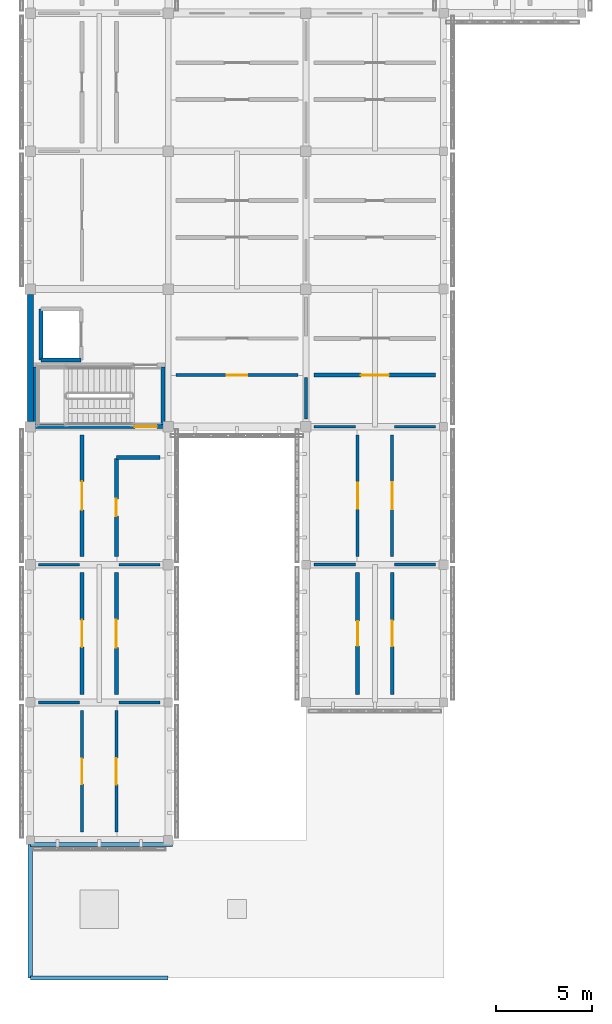
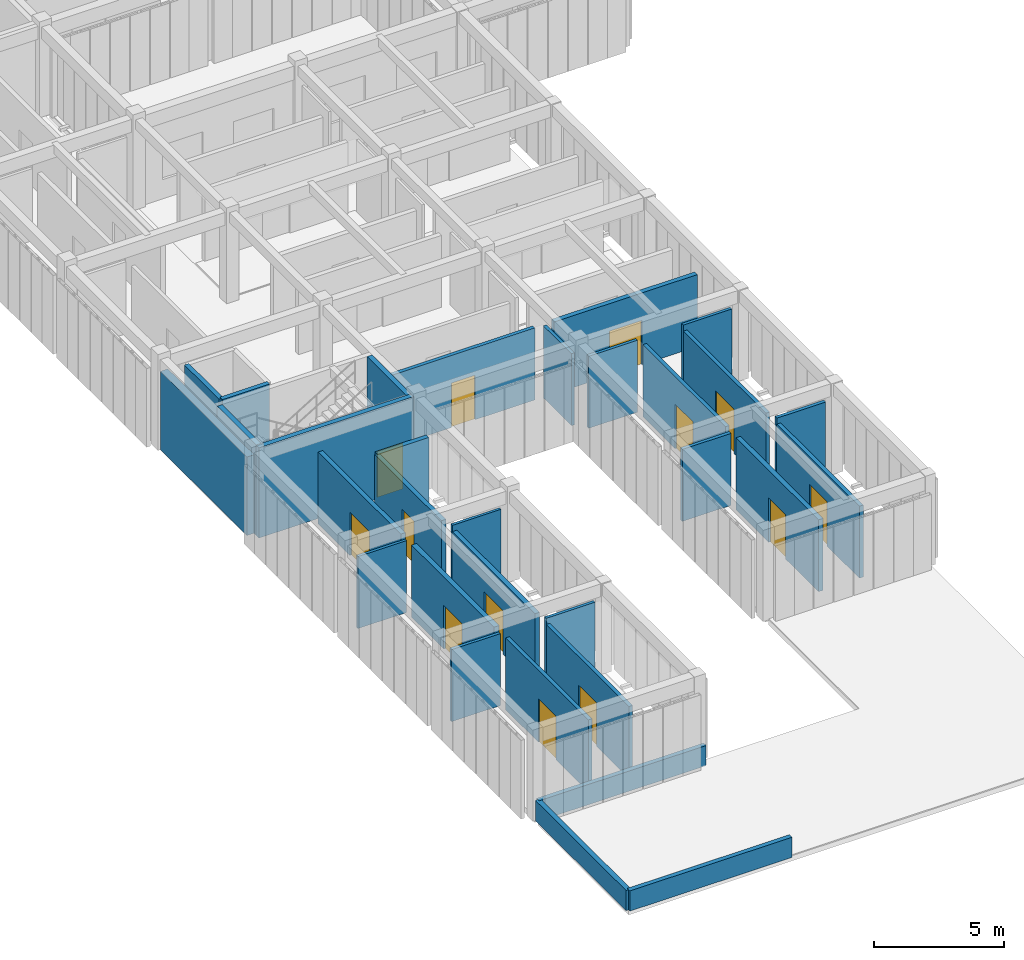
# One storey, part 68 of 91: 31 walls, 13 doors, 13 openings.
"""IFC4 building model written with IfcOpenShell, lengths in metres."""

from ifc_helpers import new_model, si_unit, direction, frame, frame_2d, origin, place, context, subcontext, project, spatial, rectangle, extrude, material, layer, layer_set, type_object, element, fill, save


model = new_model("IFC4")

# Units and contexts
model_context = context("Model", 3, precision=1e-05, world=origin(), true_north=direction((0.0, 1.0)))
body_context = subcontext(model_context, "Body", "Model", "MODEL_VIEW")
ifc_project = project(units=[si_unit("LENGTHUNIT", "METRE"), si_unit("AREAUNIT", "SQUARE_METRE"), si_unit("VOLUMEUNIT", "CUBIC_METRE"), si_unit("PLANEANGLEUNIT", "RADIAN"), si_unit("MASSUNIT", "GRAM", prefix="KILO")], contexts=[model_context])

# Site, building, storey
site_placement = place(None, origin())
site = spatial("IfcSite", under=ifc_project, at=site_placement, CompositionType="ELEMENT")
building_placement = place(site_placement, origin())
building = spatial("IfcBuilding", under=site, at=building_placement, Name="Aldebral Square Health Centre", CompositionType="ELEMENT")
storey_placement = place(building_placement, frame((0.0, 0.0, 9.0)))
storey = spatial("IfcBuildingStorey", under=building, at=storey_placement, Name="L02", CompositionType="ELEMENT", Elevation=9.0)

# Walls
ifc_material_1 = material(Name="Cream cantera stone parapet", Category="masonry")
ifc_layer_1 = layer(ifc_material_1, 0.199951171875, Name="Cream cantera stone parapet", Category="masonry")
ifc_layer_set_1 = layer_set([ifc_layer_1], Name="Cream cantera stone parapet")
wall_type_1 = type_object("IfcWallType", Name="EW-PAR-200", PredefinedType="PARAPET", material=ifc_layer_set_1)
wall_1_placement = place(storey_placement, frame((7.199951171875, 0.0, 0.0), z_axis=(0.0, 0.0, 1.0), x_axis=(-1.0, 0.0, 0.0)))
element("IfcWall", 1, at=wall_1_placement, inside=storey, type_object=wall_type_1, Name="Roof parapet 09", PredefinedType="PARAPET", context=body_context, shape_type="SweptSolid", body=[
    extrude(rectangle(XDim=7.199951171875, YDim=0.199951171875, at=frame_2d((3.60009765625, 0.0))), origin(), (0.0, 0.0, 1.0), 0.949951171875),
])
wall_2_placement = place(storey_placement, frame((0.0, 6.97998046875, 0.0), z_axis=(0.0, 0.0, 1.0), x_axis=(1.0, 0.0, 0.0)))
element("IfcWall", 2, at=wall_2_placement, inside=storey, type_object=wall_type_1, Name="Roof parapet 11", PredefinedType="PARAPET", context=body_context, shape_type="SweptSolid", body=[
    extrude(rectangle(XDim=7.419921875, YDim=0.199951171875, at=frame_2d((3.7099609375, 0.0))), origin(), (0.0, 0.0, 1.0), 0.949951171875),
])
ifc_material_2 = material(Name="Precast concrete C40/50 parapet", Category="concrete")
ifc_layer_2 = layer(ifc_material_2, 0.219970703125, Name="Precast concrete C40/50 parapet", Category="concrete")
ifc_layer_set_2 = layer_set([ifc_layer_2], Name="Precast concrete C40/50 parapet")
wall_type_2 = type_object("IfcWallType", Name="EW-PAR-220", PredefinedType="PARAPET", material=ifc_layer_set_2)
wall_3_placement = place(storey_placement, frame((0.0, 0.0, 0.0), z_axis=(0.0, 0.0, 1.0), x_axis=(0.0, 1.0, 0.0)))
element("IfcWall", 3, at=wall_3_placement, inside=storey, type_object=wall_type_2, Name="Roof parapet 10", PredefinedType="PARAPET", context=body_context, shape_type="SweptSolid", body=[
    extrude(rectangle(XDim=6.97998046875, YDim=0.219970703125, at=frame_2d((3.489990234375, 0.0))), origin(), (0.0, 0.0, 1.0), 0.949951171875),
])
ifc_material_3 = material(Name="Precast concrete C40/50 insulated panel", Category="concrete")
ifc_layer_3 = layer(ifc_material_3, 0.320068359375, Name="Precast concrete C40/50 insulated panel", Category="concrete")
ifc_layer_set_3 = layer_set([ifc_layer_3], Name="Precast concrete C40/50 insulated panel")
wall_type_3 = type_object("IfcWallType", Name="EW-PRE-320", PredefinedType="STANDARD", material=ifc_layer_set_3)
wall_4_placement = place(storey_placement, frame((0.0, 35.72509765625, 0.0), z_axis=(0.0, 0.0, 1.0), x_axis=(0.0, -1.0, 0.0)))
element("IfcWall", 4, at=wall_4_placement, inside=storey, type_object=wall_type_3, Name="L02 V6 exterior wall L02-V6-00-04-W", PredefinedType="STANDARD", context=body_context, shape_type="SweptSolid", body=[
    extrude(rectangle(XDim=6.650146484375, YDim=0.320068359375, at=frame_2d((3.3251953125, 0.0))), origin(), (0.0, 0.0, 1.0), 3.68994140625),
])

# Wall, opening, door
ifc_material_4 = material(Name="Concrete C35/45 compartment wall", Category="concrete")
ifc_layer_4 = layer(ifc_material_4, 0.199951171875, Name="Concrete C35/45 compartment wall", Category="concrete")
ifc_layer_set_4 = layer_set([ifc_layer_4], Name="Concrete C35/45 compartment wall")
wall_type_4 = type_object("IfcWallType", Name="IW-CMP-200", PredefinedType="SOLIDWALL", material=ifc_layer_set_4)
wall_5_placement = place(storey_placement, frame((2.699951171875, 22.02001953125, 0.0), z_axis=(0.0, 0.0, 1.0), x_axis=(0.0, 1.0, 0.0)))
wall_5 = element("IfcWall", 5, at=wall_5_placement, inside=storey, type_object=wall_type_4, Name="L02 Multipurpose Health Hall 1.4W corridor wall", PredefinedType="SOLIDWALL", context=body_context, shape_type="SweptSolid", body=[
    extrude(rectangle(XDim=6.35986328125, YDim=0.199951171875, at=frame_2d((3.179931640625, 0.0))), origin(), (0.0, 0.0, 1.0), 3.3798828125),
])
opening_1_placement = place(wall_5_placement, frame((2.429931640625, 0.0, 0.0)))
opening_1 = element("IfcOpeningElement", 6, at=opening_1_placement, cuts=wall_5, Name="Opening D-0513", PredefinedType="OPENING", context=body_context, shape_type="SweptSolid", body=[
    extrude(rectangle(XDim=1.5, YDim=2.0400390625, at=frame_2d((0.75, 1.02001953125))), frame((0.0, 0.10986328125, 0.0), z_axis=(0.0, -1.0, 0.0), x_axis=(1.0, 0.0, 0.0)), (0.0, 0.0, 1.0), 0.219970703125),
])
ifc_material_5 = material(Name="Clinical suite fire door")
door_type_1 = type_object("IfcDoorType", Name="ID-EXD-15", OperationType="NOTDEFINED", PredefinedType="DOOR", material=ifc_material_5)
door_1_placement = place(opening_1_placement, origin())
door_1 = element("IfcDoor", 7, at=door_1_placement, inside=storey, type_object=door_type_1, Name="L02 Multipurpose Health Hall 1.4W door", OperationType="SINGLE_SWING_RIGHT", OverallHeight=2.0400390625, OverallWidth=1.5, PredefinedType="DOOR", context=body_context, shape_type="SweptSolid", body=[
    extrude(rectangle(XDim=1.5, YDim=2.0400390625, at=frame_2d((0.75, 1.02001953125))), frame((0.0, 0.02490234375, 0.0), z_axis=(0.0, -1.0, 0.0), x_axis=(1.0, 0.0, 0.0)), (0.0, 0.0, 1.0), 0.050048828125),
])
fill(opening_1, door_1)

wall_6_placement = place(storey_placement, frame((4.5, 22.02001953125, 0.0), z_axis=(0.0, 0.0, 1.0), x_axis=(0.0, 1.0, 0.0)))
wall_6 = element("IfcWall", 8, at=wall_6_placement, inside=storey, type_object=wall_type_4, Name="L02 Community Wellness Classroom 1.4E corridor wall", PredefinedType="SOLIDWALL", context=body_context, shape_type="SweptSolid", body=[
    extrude(rectangle(XDim=5.1298828125, YDim=0.199951171875, at=frame_2d((2.56494140625, 0.0))), origin(), (0.0, 0.0, 1.0), 3.3798828125),
])
opening_2_placement = place(wall_6_placement, frame((2.114990234375, 0.0, 0.0)))
opening_2 = element("IfcOpeningElement", 9, at=opening_2_placement, cuts=wall_6, Name="Opening D-0514", PredefinedType="OPENING", context=body_context, shape_type="SweptSolid", body=[
    extrude(rectangle(XDim=0.89990234375, YDim=2.090087890625, at=frame_2d((0.449951171875, 1.044921875))), frame((0.0, 0.10986328125, 0.0), z_axis=(0.0, -1.0, 0.0), x_axis=(1.0, 0.0, 0.0)), (0.0, 0.0, 1.0), 0.219970703125),
])
door_type_2 = type_object("IfcDoorType", Name="ID-EXD-16", OperationType="NOTDEFINED", PredefinedType="DOOR", material=ifc_material_5)
door_2_placement = place(opening_2_placement, origin())
door_2 = element("IfcDoor", 10, at=door_2_placement, inside=storey, type_object=door_type_2, Name="L02 Community Wellness Classroom 1.4E door", OperationType="SINGLE_SWING_LEFT", OverallHeight=2.090087890625, OverallWidth=0.89990234375, PredefinedType="DOOR", context=body_context, shape_type="SweptSolid", body=[
    extrude(rectangle(XDim=0.89990234375, YDim=2.090087890625, at=frame_2d((0.449951171875, 1.044921875))), frame((0.0, 0.02490234375, 0.0), z_axis=(0.0, -1.0, 0.0), x_axis=(1.0, 0.0, 0.0)), (0.0, 0.0, 1.0), 0.050048828125),
])
fill(opening_2, door_2)

ifc_layer_5 = layer(ifc_material_4, 0.219970703125, Name="Concrete C35/45 compartment wall", Category="concrete")
ifc_layer_set_5 = layer_set([ifc_layer_5], Name="Concrete C35/45 compartment wall")
wall_type_5 = type_object("IfcWallType", Name="IW-CMP-220", PredefinedType="SOLIDWALL", material=ifc_layer_set_5)
wall_7_placement = place(storey_placement, frame((2.699951171875, 14.820068359375, 0.0), z_axis=(0.0, 0.0, 1.0), x_axis=(0.0, 1.0, 0.0)))
wall_7 = element("IfcWall", 11, at=wall_7_placement, inside=storey, type_object=wall_type_5, Name="L02 Public Health Library 1.3W corridor wall", PredefinedType="SOLIDWALL", context=body_context, shape_type="SweptSolid", body=[
    extrude(rectangle(XDim=6.35986328125, YDim=0.219970703125, at=frame_2d((3.179931640625, 0.0))), origin(), (0.0, 0.0, 1.0), 3.3798828125),
])
opening_3_placement = place(wall_7_placement, frame((2.469970703125, 0.0, 0.0)))
opening_3 = element("IfcOpeningElement", 12, at=opening_3_placement, cuts=wall_7, Name="Opening D-0511", PredefinedType="OPENING", context=body_context, shape_type="SweptSolid", body=[
    extrude(rectangle(XDim=1.419921875, YDim=2.0400390625, at=frame_2d((0.7099609375, 1.02001953125))), frame((0.0, 0.1201171875, 0.0), z_axis=(0.0, -1.0, 0.0), x_axis=(1.0, 0.0, 0.0)), (0.0, 0.0, 1.0), 0.239990234375),
])
door_type_3 = type_object("IfcDoorType", Name="ID-EXD-13", OperationType="NOTDEFINED", PredefinedType="DOOR", material=ifc_material_5)
door_3_placement = place(opening_3_placement, origin())
door_3 = element("IfcDoor", 13, at=door_3_placement, inside=storey, type_object=door_type_3, Name="L02 Public Health Library 1.3W door", OperationType="SINGLE_SWING_RIGHT", OverallHeight=2.0400390625, OverallWidth=1.419921875, PredefinedType="DOOR", context=body_context, shape_type="SweptSolid", body=[
    extrude(rectangle(XDim=1.419921875, YDim=2.0400390625, at=frame_2d((0.7099609375, 1.02001953125))), frame((0.0, 0.02490234375, 0.0), z_axis=(0.0, -1.0, 0.0), x_axis=(1.0, 0.0, 0.0)), (0.0, 0.0, 1.0), 0.050048828125),
])
fill(opening_3, door_3)

ifc_material_6 = material(Name="Fire-rated acoustic gypsum partition")
ifc_layer_6 = layer(ifc_material_6, 0.1650390625, Name="Fire-rated acoustic gypsum partition")
ifc_layer_set_6 = layer_set([ifc_layer_6], Name="Fire-rated acoustic gypsum partition")
wall_type_6 = type_object("IfcWallType", Name="IW-COR-165", PredefinedType="PARTITIONING", material=ifc_layer_set_6)
wall_8_placement = place(storey_placement, frame((2.699951171875, 7.6201171875, 0.0), z_axis=(0.0, 0.0, 1.0), x_axis=(0.0, 1.0, 0.0)))
wall_8 = element("IfcWall", 14, at=wall_8_placement, inside=storey, type_object=wall_type_6, Name="L02 Multipurpose Health Hall 1.2W corridor wall", PredefinedType="PARTITIONING", context=body_context, shape_type="SweptSolid", body=[
    extrude(rectangle(XDim=6.35986328125, YDim=0.1650390625, at=frame_2d((3.179931640625, 0.0))), origin(), (0.0, 0.0, 1.0), 3.3798828125),
])
opening_4_placement = place(wall_8_placement, frame((2.510009765625, 0.0, 0.0)))
opening_4 = element("IfcOpeningElement", 15, at=opening_4_placement, cuts=wall_8, Name="Opening D-0509", PredefinedType="OPENING", context=body_context, shape_type="SweptSolid", body=[
    extrude(rectangle(XDim=1.340087890625, YDim=2.0400390625, at=frame_2d((0.669921875, 1.02001953125))), frame((0.0, 0.092529296875, 0.0), z_axis=(0.0, -1.0, 0.0), x_axis=(1.0, 0.0, 0.0)), (0.0, 0.0, 1.0), 0.18505859375),
])
door_type_4 = type_object("IfcDoorType", Name="ID-EXD-11", OperationType="NOTDEFINED", PredefinedType="DOOR", material=ifc_material_5)
door_4_placement = place(opening_4_placement, origin())
door_4 = element("IfcDoor", 16, at=door_4_placement, inside=storey, type_object=door_type_4, Name="L02 Multipurpose Health Hall 1.2W door", OperationType="SINGLE_SWING_RIGHT", OverallHeight=2.0400390625, OverallWidth=1.340087890625, PredefinedType="DOOR", context=body_context, shape_type="SweptSolid", body=[
    extrude(rectangle(XDim=1.340087890625, YDim=2.0400390625, at=frame_2d((0.669921875, 1.02001953125))), frame((0.0, 0.02490234375, 0.0), z_axis=(0.0, -1.0, 0.0), x_axis=(1.0, 0.0, 0.0)), (0.0, 0.0, 1.0), 0.050048828125),
])
fill(opening_4, door_4)

wall_9_placement = place(storey_placement, frame((4.5, 7.6201171875, 0.0), z_axis=(0.0, 0.0, 1.0), x_axis=(0.0, 1.0, 0.0)))
wall_9 = element("IfcWall", 17, at=wall_9_placement, inside=storey, type_object=wall_type_6, Name="L02 Community Wellness Classroom 1.2E corridor wall", PredefinedType="PARTITIONING", context=body_context, shape_type="SweptSolid", body=[
    extrude(rectangle(XDim=6.35986328125, YDim=0.1650390625, at=frame_2d((3.179931640625, 0.0))), origin(), (0.0, 0.0, 1.0), 3.3798828125),
])
opening_5_placement = place(wall_9_placement, frame((2.489990234375, 0.0, 0.0)))
opening_5 = element("IfcOpeningElement", 18, at=opening_5_placement, cuts=wall_9, Name="Opening D-0510", PredefinedType="OPENING", context=body_context, shape_type="SweptSolid", body=[
    extrude(rectangle(XDim=1.3798828125, YDim=2.0400390625, at=frame_2d((0.68994140625, 1.02001953125))), frame((0.0, 0.092529296875, 0.0), z_axis=(0.0, -1.0, 0.0), x_axis=(1.0, 0.0, 0.0)), (0.0, 0.0, 1.0), 0.18505859375),
])
door_type_5 = type_object("IfcDoorType", Name="ID-EXD-12", OperationType="NOTDEFINED", PredefinedType="DOOR", material=ifc_material_5)
door_5_placement = place(opening_5_placement, origin())
door_5 = element("IfcDoor", 19, at=door_5_placement, inside=storey, type_object=door_type_5, Name="L02 Community Wellness Classroom 1.2E door", OperationType="SINGLE_SWING_LEFT", OverallHeight=2.0400390625, OverallWidth=1.3798828125, PredefinedType="DOOR", context=body_context, shape_type="SweptSolid", body=[
    extrude(rectangle(XDim=1.3798828125, YDim=2.0400390625, at=frame_2d((0.68994140625, 1.02001953125))), frame((0.0, 0.02490234375, 0.0), z_axis=(0.0, -1.0, 0.0), x_axis=(1.0, 0.0, 0.0)), (0.0, 0.0, 1.0), 0.050048828125),
])
fill(opening_5, door_5)

wall_10_placement = place(storey_placement, frame((7.6201171875, 31.5, 0.0), z_axis=(0.0, 0.0, 1.0), x_axis=(1.0, 0.0, 0.0)))
wall_10 = element("IfcWall", 20, at=wall_10_placement, inside=storey, type_object=wall_type_6, Name="L02 Community Wellness Classroom 2.5S corridor wall", PredefinedType="PARTITIONING", context=body_context, shape_type="SweptSolid", body=[
    extrude(rectangle(XDim=6.35986328125, YDim=0.1650390625, at=frame_2d((3.179931640625, 0.0))), origin(), (0.0, 0.0, 1.0), 3.3798828125),
])
opening_6_placement = place(wall_10_placement, frame((2.64990234375, 0.0, 0.0)))
opening_6 = element("IfcOpeningElement", 21, at=opening_6_placement, cuts=wall_10, Name="Opening D-0518", PredefinedType="OPENING", context=body_context, shape_type="SweptSolid", body=[
    extrude(rectangle(XDim=1.06005859375, YDim=2.090087890625, at=frame_2d((0.530029296875, 1.044921875))), frame((0.0, 0.092529296875, 0.0), z_axis=(0.0, -1.0, 0.0), x_axis=(1.0, 0.0, 0.0)), (0.0, 0.0, 1.0), 0.18505859375),
])
door_type_6 = type_object("IfcDoorType", Name="ID-EXD-20", OperationType="NOTDEFINED", PredefinedType="DOOR", material=ifc_material_5)
door_6_placement = place(opening_6_placement, origin())
door_6 = element("IfcDoor", 22, at=door_6_placement, inside=storey, type_object=door_type_6, Name="L02 Community Wellness Classroom 2.5S door", OperationType="SINGLE_SWING_LEFT", OverallHeight=2.090087890625, OverallWidth=1.06005859375, PredefinedType="DOOR", context=body_context, shape_type="SweptSolid", body=[
    extrude(rectangle(XDim=1.06005859375, YDim=2.090087890625, at=frame_2d((0.530029296875, 1.044921875))), frame((0.0, 0.02490234375, 0.0), z_axis=(0.0, -1.0, 0.0), x_axis=(1.0, 0.0, 0.0)), (0.0, 0.0, 1.0), 0.050048828125),
])
fill(opening_6, door_6)

wall_11_placement = place(storey_placement, frame((17.10009765625, 22.02001953125, 0.0), z_axis=(0.0, 0.0, 1.0), x_axis=(0.0, 1.0, 0.0)))
wall_11 = element("IfcWall", 23, at=wall_11_placement, inside=storey, type_object=wall_type_6, Name="L02 Community Wellness Classroom 3.4W corridor wall", PredefinedType="PARTITIONING", context=body_context, shape_type="SweptSolid", body=[
    extrude(rectangle(XDim=6.35986328125, YDim=0.1650390625, at=frame_2d((3.179931640625, 0.0))), origin(), (0.0, 0.0, 1.0), 3.3798828125),
])
opening_7_placement = place(wall_11_placement, frame((2.489990234375, 0.0, 0.0)))
opening_7 = element("IfcOpeningElement", 24, at=opening_7_placement, cuts=wall_11, Name="Opening D-0526", PredefinedType="OPENING", context=body_context, shape_type="SweptSolid", body=[
    extrude(rectangle(XDim=1.3798828125, YDim=2.090087890625, at=frame_2d((0.68994140625, 1.044921875))), frame((0.0, 0.092529296875, 0.0), z_axis=(0.0, -1.0, 0.0), x_axis=(1.0, 0.0, 0.0)), (0.0, 0.0, 1.0), 0.18505859375),
])
door_type_7 = type_object("IfcDoorType", Name="ID-EXD-28", OperationType="NOTDEFINED", PredefinedType="DOOR", material=ifc_material_5)
door_7_placement = place(opening_7_placement, origin())
door_7 = element("IfcDoor", 25, at=door_7_placement, inside=storey, type_object=door_type_7, Name="L02 Community Wellness Classroom 3.4W door", OperationType="SINGLE_SWING_LEFT", OverallHeight=2.090087890625, OverallWidth=1.3798828125, PredefinedType="DOOR", context=body_context, shape_type="SweptSolid", body=[
    extrude(rectangle(XDim=1.3798828125, YDim=2.090087890625, at=frame_2d((0.68994140625, 1.044921875))), frame((0.0, 0.02490234375, 0.0), z_axis=(0.0, -1.0, 0.0), x_axis=(1.0, 0.0, 0.0)), (0.0, 0.0, 1.0), 0.050048828125),
])
fill(opening_7, door_7)

wall_12_placement = place(storey_placement, frame((18.89990234375, 22.02001953125, 0.0), z_axis=(0.0, 0.0, 1.0), x_axis=(0.0, 1.0, 0.0)))
wall_12 = element("IfcWall", 26, at=wall_12_placement, inside=storey, type_object=wall_type_6, Name="L02 Public Health Library 3.4E corridor wall", PredefinedType="PARTITIONING", context=body_context, shape_type="SweptSolid", body=[
    extrude(rectangle(XDim=6.35986328125, YDim=0.1650390625, at=frame_2d((3.179931640625, 0.0))), origin(), (0.0, 0.0, 1.0), 3.3798828125),
])
opening_8_placement = place(wall_12_placement, frame((2.469970703125, 0.0, 0.0)))
opening_8 = element("IfcOpeningElement", 27, at=opening_8_placement, cuts=wall_12, Name="Opening D-0527", PredefinedType="OPENING", context=body_context, shape_type="SweptSolid", body=[
    extrude(rectangle(XDim=1.419921875, YDim=2.090087890625, at=frame_2d((0.7099609375, 1.044921875))), frame((0.0, 0.092529296875, 0.0), z_axis=(0.0, -1.0, 0.0), x_axis=(1.0, 0.0, 0.0)), (0.0, 0.0, 1.0), 0.18505859375),
])
door_type_8 = type_object("IfcDoorType", Name="ID-EXD-29", OperationType="NOTDEFINED", PredefinedType="DOOR", material=ifc_material_5)
door_8_placement = place(opening_8_placement, origin())
door_8 = element("IfcDoor", 28, at=door_8_placement, inside=storey, type_object=door_type_8, Name="L02 Public Health Library 3.4E door", OperationType="SINGLE_SWING_RIGHT", OverallHeight=2.090087890625, OverallWidth=1.419921875, PredefinedType="DOOR", context=body_context, shape_type="SweptSolid", body=[
    extrude(rectangle(XDim=1.419921875, YDim=2.090087890625, at=frame_2d((0.7099609375, 1.044921875))), frame((0.0, 0.02490234375, 0.0), z_axis=(0.0, -1.0, 0.0), x_axis=(1.0, 0.0, 0.0)), (0.0, 0.0, 1.0), 0.050048828125),
])
fill(opening_8, door_8)

ifc_layer_7 = layer(ifc_material_6, 0.179931640625, Name="Fire-rated acoustic gypsum partition")
ifc_layer_set_7 = layer_set([ifc_layer_7], Name="Fire-rated acoustic gypsum partition")
wall_type_7 = type_object("IfcWallType", Name="IW-COR-180", PredefinedType="PARTITIONING", material=ifc_layer_set_7)
wall_13_placement = place(storey_placement, frame((18.89990234375, 14.820068359375, 0.0), z_axis=(0.0, 0.0, 1.0), x_axis=(0.0, 1.0, 0.0)))
wall_13 = element("IfcWall", 29, at=wall_13_placement, inside=storey, type_object=wall_type_7, Name="L02 Multipurpose Health Hall 3.3E corridor wall", PredefinedType="PARTITIONING", context=body_context, shape_type="SweptSolid", body=[
    extrude(rectangle(XDim=6.35986328125, YDim=0.179931640625, at=frame_2d((3.179931640625, 0.0))), origin(), (0.0, 0.0, 1.0), 3.3798828125),
])
opening_9_placement = place(wall_13_placement, frame((2.510009765625, 0.0, 0.0)))
opening_9 = element("IfcOpeningElement", 30, at=opening_9_placement, cuts=wall_13, Name="Opening D-0525", PredefinedType="OPENING", context=body_context, shape_type="SweptSolid", body=[
    extrude(rectangle(XDim=1.340087890625, YDim=2.090087890625, at=frame_2d((0.669921875, 1.044921875))), frame((0.0, 0.10009765625, 0.0), z_axis=(0.0, -1.0, 0.0), x_axis=(1.0, 0.0, 0.0)), (0.0, 0.0, 1.0), 0.199951171875),
])
door_type_9 = type_object("IfcDoorType", Name="ID-EXD-27", OperationType="NOTDEFINED", PredefinedType="DOOR", material=ifc_material_5)
door_9_placement = place(opening_9_placement, origin())
door_9 = element("IfcDoor", 31, at=door_9_placement, inside=storey, type_object=door_type_9, Name="L02 Multipurpose Health Hall 3.3E door", OperationType="SINGLE_SWING_RIGHT", OverallHeight=2.090087890625, OverallWidth=1.340087890625, PredefinedType="DOOR", context=body_context, shape_type="SweptSolid", body=[
    extrude(rectangle(XDim=1.340087890625, YDim=2.090087890625, at=frame_2d((0.669921875, 1.044921875))), frame((0.0, 0.02490234375, 0.0), z_axis=(0.0, -1.0, 0.0), x_axis=(1.0, 0.0, 0.0)), (0.0, 0.0, 1.0), 0.050048828125),
])
fill(opening_9, door_9)

ifc_material_7 = material(Name="Concrete C40/50", Category="concrete")
ifc_layer_8 = layer(ifc_material_7, 0.219970703125, Name="Concrete C40/50", Category="concrete")
ifc_layer_set_8 = layer_set([ifc_layer_8], Name="Concrete C40/50")
wall_type_8 = type_object("IfcWallType", Name="IW-CORE-280", PredefinedType="SHEAR", material=ifc_layer_set_8)
wall_14_placement = place(storey_placement, frame((0.159912109375, 28.81005859375, 0.0), z_axis=(0.0, 0.0, 1.0), x_axis=(1.0, 0.0, 0.0)))
wall_14 = element("IfcWall", 32, at=wall_14_placement, inside=storey, type_object=wall_type_8, Name="L02 WC-C5 shaft wall S", PredefinedType="SHEAR", context=body_context, shape_type="SweptSolid", body=[
    extrude(rectangle(XDim=6.880126953125, YDim=0.219970703125, at=frame_2d((3.43994140625, 0.0))), origin(), (0.0, 0.0, 1.0), 4.239990234375),
])
opening_10_placement = place(wall_14_placement, frame((5.300048828125, 0.0, 0.0)))
opening_10 = element("IfcOpeningElement", 33, at=opening_10_placement, cuts=wall_14, Name="Opening D-0060", PredefinedType="OPENING", context=body_context, shape_type="SweptSolid", body=[
    extrude(rectangle(XDim=1.14990234375, YDim=2.14990234375, at=frame_2d((0.574951171875, 1.074951171875))), frame((0.0, 0.1201171875, 0.0), z_axis=(0.0, -1.0, 0.0), x_axis=(1.0, 0.0, 0.0)), (0.0, 0.0, 1.0), 0.239990234375),
])
ifc_material_8 = material(Name="Fire-rated steel lobby stair door", Category="steel")
door_type_10 = type_object("IfcDoorType", Name="ID-ST-115", OperationType="NOTDEFINED", PredefinedType="DOOR", material=ifc_material_8)
door_10_placement = place(opening_10_placement, origin())
door_10 = element("IfcDoor", 34, at=door_10_placement, inside=storey, type_object=door_type_10, Name="L02 ST-05 south lobby fire door", OperationType="SINGLE_SWING_LEFT", OverallHeight=2.14990234375, OverallWidth=1.14990234375, PredefinedType="DOOR", context=body_context, shape_type="SweptSolid", body=[
    extrude(rectangle(XDim=1.14990234375, YDim=2.14990234375, at=frame_2d((0.574951171875, 1.074951171875))), frame((0.0, 0.02490234375, 0.0), z_axis=(0.0, -1.0, 0.0), x_axis=(1.0, 0.0, 0.0)), (0.0, 0.0, 1.0), 0.050048828125),
])
fill(opening_10, door_10)

# Walls
for number, where, z_axis, x_axis, name in (
    (35, (0.27001953125, 28.919921875, 0.0), (0.0, 0.0, 1.0), (0.0, 1.0, 0.0), "L02 WC-C5 shaft wall W"),
    (36, (6.929931640625, 28.919921875, 0.0), (0.0, 0.0, 1.0), (0.0, 1.0, 0.0), "L02 WC-C5 shaft wall E"),
):
    element("IfcWall", number, at=place(storey_placement, frame(where, z_axis=z_axis, x_axis=x_axis)), inside=storey, type_object=wall_type_8, Name=name, PredefinedType="SHEAR", context=body_context, shape_type="SweptSolid", body=[
        extrude(rectangle(XDim=3.0, YDim=0.219970703125, at=frame_2d((1.5, 0.0))), origin(), (0.0, 0.0, 1.0), 4.239990234375),
    ])
ifc_layer_9 = layer(ifc_material_7, 0.199951171875, Name="Concrete C40/50", Category="concrete")
ifc_layer_set_9 = layer_set([ifc_layer_9], Name="Concrete C40/50")
wall_type_9 = type_object("IfcWallType", Name="IW-LFT-250", PredefinedType="SHEAR", material=ifc_layer_set_9)
wall_15_placement = place(storey_placement, frame((0.550048828125, 32.300048828125, 0.0), z_axis=(0.0, 0.0, 1.0), x_axis=(1.0, 0.0, 0.0)))
element("IfcWall", 37, at=wall_15_placement, inside=storey, type_object=wall_type_9, Name="L02 LF-05 shaft wall S", PredefinedType="SHEAR", context=body_context, shape_type="SweptSolid", body=[
    extrude(rectangle(XDim=2.099853515625, YDim=0.199951171875, at=frame_2d((1.0498046875, 0.0))), origin(), (0.0, 0.0, 1.0), 4.239990234375),
])
wall_16_placement = place(storey_placement, frame((0.550048828125, 32.300048828125, 0.0), z_axis=(0.0, 0.0, 1.0), x_axis=(0.0, 1.0, 0.0)))
element("IfcWall", 38, at=wall_16_placement, inside=storey, type_object=wall_type_9, Name="L02 LF-05 shaft wall W", PredefinedType="SHEAR", context=body_context, shape_type="SweptSolid", body=[
    extrude(rectangle(XDim=2.64990234375, YDim=0.199951171875, at=frame_2d((1.324951171875, 0.0))), origin(), (0.0, 0.0, 1.0), 4.239990234375),
])

# Wall, opening, door
ifc_material_9 = material(Name="Moisture-resistant sanitary chase wall")
ifc_layer_10 = layer(ifc_material_9, 0.2099609375, Name="Moisture-resistant sanitary chase wall")
ifc_layer_set_10 = layer_set([ifc_layer_10], Name="Moisture-resistant sanitary chase wall")
wall_type_10 = type_object("IfcWallType", Name="IW-PLB-210", PredefinedType="PLUMBINGWALL", material=ifc_layer_set_10)
wall_17_placement = place(storey_placement, frame((4.5, 14.820068359375, 0.0), z_axis=(0.0, 0.0, 1.0), x_axis=(0.0, 1.0, 0.0)))
wall_17 = element("IfcWall", 39, at=wall_17_placement, inside=storey, type_object=wall_type_10, Name="L02 Accessible WC 1.3E corridor wall", PredefinedType="PLUMBINGWALL", context=body_context, shape_type="SweptSolid", body=[
    extrude(rectangle(XDim=6.35986328125, YDim=0.2099609375, at=frame_2d((3.179931640625, 0.0))), origin(), (0.0, 0.0, 1.0), 3.3798828125),
])
opening_11_placement = place(wall_17_placement, frame((2.449951171875, 0.0, 0.0)))
opening_11 = element("IfcOpeningElement", 40, at=opening_11_placement, cuts=wall_17, Name="Opening D-0512", PredefinedType="OPENING", context=body_context, shape_type="SweptSolid", body=[
    extrude(rectangle(XDim=1.4599609375, YDim=2.0400390625, at=frame_2d((0.72998046875, 1.02001953125))), frame((0.0, 0.114990234375, 0.0), z_axis=(0.0, -1.0, 0.0), x_axis=(1.0, 0.0, 0.0)), (0.0, 0.0, 1.0), 0.22998046875),
])
door_type_11 = type_object("IfcDoorType", Name="ID-EXD-14", OperationType="NOTDEFINED", PredefinedType="DOOR", material=ifc_material_5)
door_11_placement = place(opening_11_placement, origin())
door_11 = element("IfcDoor", 41, at=door_11_placement, inside=storey, type_object=door_type_11, Name="L02 Accessible WC 1.3E door", OperationType="SINGLE_SWING_LEFT", OverallHeight=2.0400390625, OverallWidth=1.4599609375, PredefinedType="DOOR", context=body_context, shape_type="SweptSolid", body=[
    extrude(rectangle(XDim=1.4599609375, YDim=2.0400390625, at=frame_2d((0.72998046875, 1.02001953125))), frame((0.0, 0.02490234375, 0.0), z_axis=(0.0, -1.0, 0.0), x_axis=(1.0, 0.0, 0.0)), (0.0, 0.0, 1.0), 0.050048828125),
])
fill(opening_11, door_11)

# Wall
wall_18_placement = place(storey_placement, frame((4.5, 27.199951171875, 0.0), z_axis=(0.0, 0.0, 1.0), x_axis=(1.0, 0.0, 0.0)))
element("IfcWall", 42, at=wall_18_placement, inside=storey, type_object=wall_type_10, Name="L02 Community Wellness Classroom 1.4E lobby return wall", PredefinedType="PLUMBINGWALL", context=body_context, shape_type="SweptSolid", body=[
    extrude(rectangle(XDim=2.280029296875, YDim=0.2099609375, at=frame_2d((1.14013671875, 0.0))), origin(), (0.0, 0.0, 1.0), 3.3798828125),
])

# Wall, opening, door
wall_19_placement = place(storey_placement, frame((17.10009765625, 14.820068359375, 0.0), z_axis=(0.0, 0.0, 1.0), x_axis=(0.0, 1.0, 0.0)))
wall_19 = element("IfcWall", 43, at=wall_19_placement, inside=storey, type_object=wall_type_10, Name="L02 Accessible WC 3.3W corridor wall", PredefinedType="PLUMBINGWALL", context=body_context, shape_type="SweptSolid", body=[
    extrude(rectangle(XDim=6.35986328125, YDim=0.2099609375, at=frame_2d((3.179931640625, 0.0))), origin(), (0.0, 0.0, 1.0), 3.3798828125),
])
opening_12_placement = place(wall_19_placement, frame((2.530029296875, 0.0, 0.0)))
opening_12 = element("IfcOpeningElement", 44, at=opening_12_placement, cuts=wall_19, Name="Opening D-0524", PredefinedType="OPENING", context=body_context, shape_type="SweptSolid", body=[
    extrude(rectangle(XDim=1.300048828125, YDim=2.090087890625, at=frame_2d((0.64990234375, 1.044921875))), frame((0.0, 0.114990234375, 0.0), z_axis=(0.0, -1.0, 0.0), x_axis=(1.0, 0.0, 0.0)), (0.0, 0.0, 1.0), 0.22998046875),
])
door_type_12 = type_object("IfcDoorType", Name="ID-EXD-26", OperationType="NOTDEFINED", PredefinedType="DOOR", material=ifc_material_5)
door_12_placement = place(opening_12_placement, origin())
door_12 = element("IfcDoor", 45, at=door_12_placement, inside=storey, type_object=door_type_12, Name="L02 Accessible WC 3.3W door", OperationType="SINGLE_SWING_LEFT", OverallHeight=2.090087890625, OverallWidth=1.300048828125, PredefinedType="DOOR", context=body_context, shape_type="SweptSolid", body=[
    extrude(rectangle(XDim=1.300048828125, YDim=2.090087890625, at=frame_2d((0.64990234375, 1.044921875))), frame((0.0, 0.02490234375, 0.0), z_axis=(0.0, -1.0, 0.0), x_axis=(1.0, 0.0, 0.0)), (0.0, 0.0, 1.0), 0.050048828125),
])
fill(opening_12, door_12)

wall_20_placement = place(storey_placement, frame((14.820068359375, 31.5, 0.0), z_axis=(0.0, 0.0, 1.0), x_axis=(1.0, 0.0, 0.0)))
wall_20 = element("IfcWall", 46, at=wall_20_placement, inside=storey, type_object=wall_type_10, Name="L02 Accessible WC 3.5S corridor wall", PredefinedType="PLUMBINGWALL", context=body_context, shape_type="SweptSolid", body=[
    extrude(rectangle(XDim=6.35986328125, YDim=0.2099609375, at=frame_2d((3.179931640625, 0.0))), origin(), (0.0, 0.0, 1.0), 3.3798828125),
])
opening_13_placement = place(wall_20_placement, frame((2.449951171875, 0.0, 0.0)))
opening_13 = element("IfcOpeningElement", 47, at=opening_13_placement, cuts=wall_20, Name="Opening D-0528", PredefinedType="OPENING", context=body_context, shape_type="SweptSolid", body=[
    extrude(rectangle(XDim=1.4599609375, YDim=2.090087890625, at=frame_2d((0.72998046875, 1.044921875))), frame((0.0, 0.114990234375, 0.0), z_axis=(0.0, -1.0, 0.0), x_axis=(1.0, 0.0, 0.0)), (0.0, 0.0, 1.0), 0.22998046875),
])
door_type_13 = type_object("IfcDoorType", Name="ID-EXD-30", OperationType="NOTDEFINED", PredefinedType="DOOR", material=ifc_material_5)
door_13_placement = place(opening_13_placement, origin())
door_13 = element("IfcDoor", 48, at=door_13_placement, inside=storey, type_object=door_type_13, Name="L02 Accessible WC 3.5S door", OperationType="SINGLE_SWING_LEFT", OverallHeight=2.090087890625, OverallWidth=1.4599609375, PredefinedType="DOOR", context=body_context, shape_type="SweptSolid", body=[
    extrude(rectangle(XDim=1.4599609375, YDim=2.090087890625, at=frame_2d((0.72998046875, 1.044921875))), frame((0.0, 0.02490234375, 0.0), z_axis=(0.0, -1.0, 0.0), x_axis=(1.0, 0.0, 0.0)), (0.0, 0.0, 1.0), 0.050048828125),
])
fill(opening_13, door_13)

# Walls
ifc_material_10 = material(Name="Acoustic clinical gypsum partition")
ifc_layer_11 = layer(ifc_material_10, 0.1201171875, Name="Acoustic clinical gypsum partition")
ifc_layer_set_11 = layer_set([ifc_layer_11], Name="Acoustic clinical gypsum partition")
wall_type_11 = type_object("IfcWallType", Name="IW-PRT-120", PredefinedType="PARTITIONING", material=ifc_layer_set_11)
wall_21_placement = place(storey_placement, frame((0.419921875, 21.60009765625, 0.0), z_axis=(0.0, 0.0, 1.0), x_axis=(1.0, 0.0, 0.0)))
element("IfcWall", 49, at=wall_21_placement, inside=storey, type_object=wall_type_11, Name="L02 Public Health Library 1.3W demising partition", PredefinedType="PARTITIONING", context=body_context, shape_type="SweptSolid", body=[
    extrude(rectangle(XDim=2.16015625, YDim=0.1201171875, at=frame_2d((1.080078125, 0.0))), origin(), (0.0, 0.0, 1.0), 3.3798828125),
])
wall_22_placement = place(storey_placement, frame((4.6201171875, 21.60009765625, 0.0), z_axis=(0.0, 0.0, 1.0), x_axis=(1.0, 0.0, 0.0)))
element("IfcWall", 50, at=wall_22_placement, inside=storey, type_object=wall_type_11, Name="L02 Accessible WC 1.3E demising partition", PredefinedType="PARTITIONING", context=body_context, shape_type="SweptSolid", body=[
    extrude(rectangle(XDim=2.159912109375, YDim=0.1201171875, at=frame_2d((1.080078125, 0.0))), origin(), (0.0, 0.0, 1.0), 3.3798828125),
])
ifc_layer_12 = layer(ifc_material_10, 0.135009765625, Name="Acoustic clinical gypsum partition")
ifc_layer_set_12 = layer_set([ifc_layer_12], Name="Acoustic clinical gypsum partition")
wall_type_12 = type_object("IfcWallType", Name="IW-PRT-135", PredefinedType="PARTITIONING", material=ifc_layer_set_12)
wall_23_placement = place(storey_placement, frame((0.419921875, 14.39990234375, 0.0), z_axis=(0.0, 0.0, 1.0), x_axis=(1.0, 0.0, 0.0)))
element("IfcWall", 51, at=wall_23_placement, inside=storey, type_object=wall_type_12, Name="L02 Multipurpose Health Hall 1.2W demising partition", PredefinedType="PARTITIONING", context=body_context, shape_type="SweptSolid", body=[
    extrude(rectangle(XDim=2.16015625, YDim=0.135009765625, at=frame_2d((1.080078125, 0.0))), origin(), (0.0, 0.0, 1.0), 3.3798828125),
])
for number, where, z_axis, x_axis, name in (
    (52, (4.6201171875, 14.39990234375, 0.0), (0.0, 0.0, 1.0), (1.0, 0.0, 0.0), "L02 Community Wellness Classroom 1.2E demising partition"),
    (53, (14.39990234375, 29.219970703125, 0.0), (0.0, 0.0, 1.0), (0.0, 1.0, 0.0), "L02 Community Wellness Classroom 2.5S demising partition"),
    (54, (14.820068359375, 28.800048828125, 0.0), (0.0, 0.0, 1.0), (1.0, 0.0, 0.0), "L02 Community Wellness Classroom 3.4W demising partition"),
    (55, (19.02001953125, 28.800048828125, 0.0), (0.0, 0.0, 1.0), (1.0, 0.0, 0.0), "L02 Public Health Library 3.4E demising partition"),
):
    element("IfcWall", number, at=place(storey_placement, frame(where, z_axis=z_axis, x_axis=x_axis)), inside=storey, type_object=wall_type_12, Name=name, PredefinedType="PARTITIONING", context=body_context, shape_type="SweptSolid", body=[
        extrude(rectangle(XDim=2.159912109375, YDim=0.135009765625, at=frame_2d((1.080078125, 0.0))), origin(), (0.0, 0.0, 1.0), 3.3798828125),
    ])
ifc_layer_13 = layer(ifc_material_10, 0.14990234375, Name="Acoustic clinical gypsum partition")
ifc_layer_set_13 = layer_set([ifc_layer_13], Name="Acoustic clinical gypsum partition")
wall_type_13 = type_object("IfcWallType", Name="IW-PRT-150", PredefinedType="PARTITIONING", material=ifc_layer_set_13)
for number, where, z_axis, x_axis, name in (
    (56, (14.820068359375, 21.60009765625, 0.0), (0.0, 0.0, 1.0), (1.0, 0.0, 0.0), "L02 Accessible WC 3.3W demising partition"),
    (57, (19.02001953125, 21.60009765625, 0.0), (0.0, 0.0, 1.0), (1.0, 0.0, 0.0), "L02 Multipurpose Health Hall 3.3E demising partition"),
):
    element("IfcWall", number, at=place(storey_placement, frame(where, z_axis=z_axis, x_axis=x_axis)), inside=storey, type_object=wall_type_13, Name=name, PredefinedType="PARTITIONING", context=body_context, shape_type="SweptSolid", body=[
        extrude(rectangle(XDim=2.159912109375, YDim=0.14990234375, at=frame_2d((1.080078125, 0.0))), origin(), (0.0, 0.0, 1.0), 3.3798828125),
    ])

save(model, "model.ifc")
